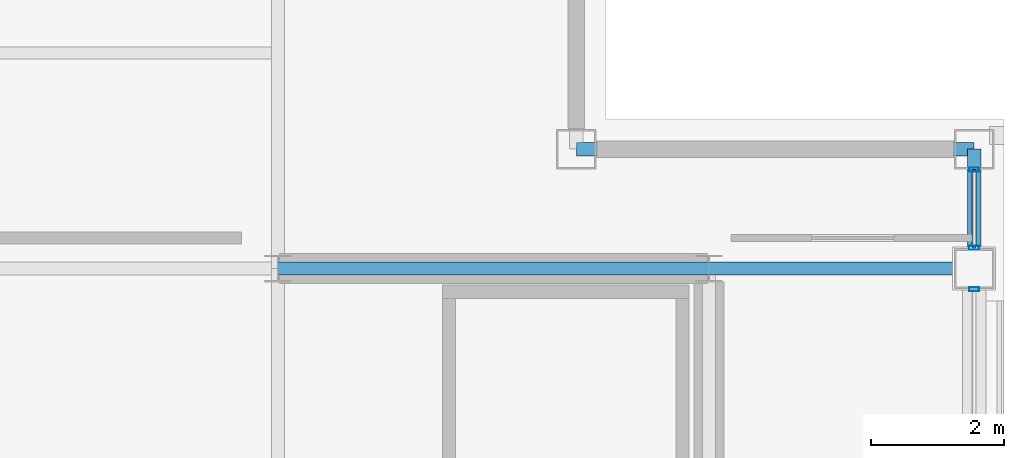
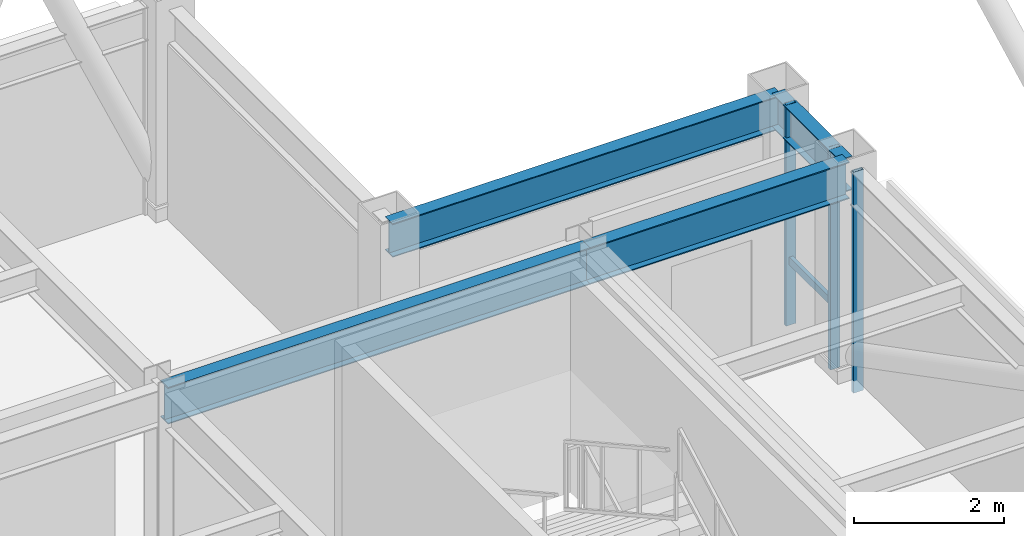
# One storey, part 16 of 27: 4 beams, 4 members, 2 elements without a shape of their own.
"""IFC4 building model written with IfcOpenShell, lengths in metres."""

from ifc_helpers import new_model, si_unit, direction, frame, origin, origin_2d, place, context, subcontext, project, spatial, hollow_rectangle, i_section, extrude, material, layer, layer_set, material_profile, profile_set, type_object, element, aggregate, save


model = new_model("IFC4")

# Units and contexts
model_context = context("Model", 3, precision=1e-05, world=origin(), true_north=direction((0.0, 1.0)))
body_context = subcontext(model_context, "Body", "Model", "MODEL_VIEW")
ifc_project = project(units=[si_unit("LENGTHUNIT", "METRE"), si_unit("AREAUNIT", "SQUARE_METRE"), si_unit("VOLUMEUNIT", "CUBIC_METRE"), si_unit("PLANEANGLEUNIT", "RADIAN"), si_unit("MASSUNIT", "GRAM", prefix="KILO")], contexts=[model_context])

# Site, building, storey
site_placement = place(None, origin())
site = spatial("IfcSite", under=ifc_project, at=site_placement, CompositionType="ELEMENT")
building_placement = place(site_placement, origin())
building = spatial("IfcBuilding", under=site, at=building_placement, Name="Brelmoor Portico Tower", CompositionType="ELEMENT")
storey_placement = place(building_placement, frame((0.0, 0.0, 258.0)))
storey = spatial("IfcBuildingStorey", under=building, at=storey_placement, Name="L68", CompositionType="ELEMENT", Elevation=258.0)

# Beams
ifc_material_1 = material(Name="Steel Q355B", Category="steel")
ifc_material_profile_1 = material_profile(ifc_material_1, i_section(OverallWidth=0.199951171875, OverallDepth=0.60009765625, WebThickness=0.010986328125, FlangeThickness=0.01708984375, at=origin_2d()), Name="HN 600x200x11x17")
ifc_profile_set_1 = profile_set([ifc_material_profile_1], Name="Steel Q355B")
beam_type_1 = type_object("IfcBeamType", Name="BM-PG-600", PredefinedType="BEAM", material=ifc_profile_set_1)
beam_1_placement = place(storey_placement, frame((8.050048828125, 9.75, 3.10009765625), z_axis=(1.0, 0.0, 0.0), x_axis=(0.0, 1.0, 0.0)))
element("IfcBeam", 1, at=beam_1_placement, inside=storey, type_object=beam_type_1, Name="L68 Primary Floor Girder PG-22", PredefinedType="BEAM", context=body_context, shape_type="SweptSolid", body=[
    extrude(i_section(OverallWidth=0.199951171875, OverallDepth=0.60009765625, WebThickness=0.010986328125, FlangeThickness=0.01708984375, at=origin_2d()), origin(), (0.0, 0.0, 1.0), 6.5),
])
beam_2_placement = place(storey_placement, frame((14.550048828125, 9.75, 3.10009765625), z_axis=(1.0, 0.0, 0.0), x_axis=(0.0, 1.0, 0.0)))
element("IfcBeam", 2, at=beam_2_placement, inside=storey, type_object=beam_type_1, Name="L68 Primary Floor Girder PG-23", PredefinedType="BEAM", context=body_context, shape_type="SweptSolid", body=[
    extrude(i_section(OverallWidth=0.199951171875, OverallDepth=0.60009765625, WebThickness=0.010986328125, FlangeThickness=0.01708984375, at=origin_2d()), origin(), (0.0, 0.0, 1.0), 4.0),
])
ifc_material_profile_2 = material_profile(ifc_material_1, i_section(OverallWidth=0.199951171875, OverallDepth=0.550048828125, WebThickness=0.010009765625, FlangeThickness=0.01611328125, at=origin_2d()), Name="HN 550x200x10x16")
ifc_profile_set_2 = profile_set([ifc_material_profile_2], Name="Steel Q355B")
beam_type_2 = type_object("IfcBeamType", Name="BM-SP-550", PredefinedType="SPANDREL", material=ifc_profile_set_2)
beam_3_placement = place(storey_placement, frame((12.550048828125, 11.550048828125, 3.125), z_axis=(1.0, 0.0, 0.0), x_axis=(0.0, 1.0, 0.0)))
element("IfcBeam", 3, at=beam_3_placement, inside=storey, type_object=beam_type_2, Name="L68 Perimeter Spandrel Beam SP-07", PredefinedType="SPANDREL", context=body_context, shape_type="SweptSolid", body=[
    extrude(i_section(OverallWidth=0.199951171875, OverallDepth=0.550048828125, WebThickness=0.010009765625, FlangeThickness=0.01611328125, at=origin_2d()), origin(), (0.0, 0.0, 1.0), 6.0),
])
beam_4_placement = place(storey_placement, frame((18.550048828125, 9.75, 3.125), z_axis=(0.0, 1.0, 0.0), x_axis=(-1.0, 0.0, 0.0)))
element("IfcBeam", 4, at=beam_4_placement, inside=storey, type_object=beam_type_2, Name="L68 Perimeter Spandrel Beam SP-20", PredefinedType="SPANDREL", context=body_context, shape_type="SweptSolid", body=[
    extrude(i_section(OverallWidth=0.199951171875, OverallDepth=0.550048828125, WebThickness=0.010009765625, FlangeThickness=0.01611328125, at=origin_2d()), origin(), (0.0, 0.0, 1.0), 1.800048828125),
])

# Curtain wall, member
ifc_material_2 = material(Name="Anodised Aluminium Alloy 6063-T6", Category="aluminium")
ifc_layer_1 = layer(ifc_material_2, 0.179931640625)
ifc_layer_set_1 = layer_set([ifc_layer_1], Name="Anodised Aluminium Alloy 6063-T6")
curtain_wall_type_1 = type_object("IfcCurtainWallType", Name="CW-TOWER-Z4-XB", PredefinedType="NOTDEFINED", material=ifc_layer_set_1)
curtain_wall_1_placement = place(storey_placement, origin())
curtain_wall_1 = element("IfcCurtainWall", 5, at=curtain_wall_1_placement, inside=storey, type_object=curtain_wall_type_1, Name="L68 Curtain Wall CW-L68-04-2", PredefinedType="NOTDEFINED")
ifc_material_profile_3 = material_profile(ifc_material_2, hollow_rectangle(XDim=0.06005859375, YDim=0.14990234375, WallThickness=0.00390625, at=origin_2d()), Name="ALU MULLION 60x150")
ifc_profile_set_3 = profile_set([ifc_material_profile_3], Name="Anodised Aluminium Alloy 6063-T6")
member_type_1 = type_object("IfcMemberType", Name="MB-CW-MULL-150", PredefinedType="MULLION", material=ifc_profile_set_3)
member_1_placement = place(storey_placement, frame((18.550048828125, 9.43994140625, -0.199951171875), z_axis=(0.0, 0.0, 1.0), x_axis=(0.0, 1.0, 0.0)))
member_1 = element("IfcMember", 6, at=member_1_placement, type_object=member_type_1, Name="CW-L68-04-2 Mullion 02", PredefinedType="MULLION", context=body_context, shape_type="SweptSolid", body=[
    extrude(hollow_rectangle(XDim=0.06005859375, YDim=0.14990234375, WallThickness=0.00390625, at=origin_2d()), origin(), (0.0, 0.0, 1.0), 3.599853515625),
])
aggregate(curtain_wall_1, [member_1])

# Curtain wall, members
ifc_layer_2 = layer(ifc_material_2, 0.179931640625)
ifc_layer_set_2 = layer_set([ifc_layer_2], Name="Anodised Aluminium Alloy 6063-T6")
curtain_wall_type_2 = type_object("IfcCurtainWallType", Name="CW-TOWER-Z4", PredefinedType="NOTDEFINED", material=ifc_layer_set_2)
curtain_wall_2_placement = place(storey_placement, origin())
curtain_wall_2 = element("IfcCurtainWall", 7, at=curtain_wall_2_placement, inside=storey, type_object=curtain_wall_type_2, Name="L68 Curtain Wall CW-L68-04-3", PredefinedType="NOTDEFINED")
member_2_placement = place(storey_placement, frame((18.550048828125, 10.06005859375, -0.199951171875), z_axis=(0.0, 0.0, 1.0), x_axis=(0.0, 1.0, 0.0)))
member_2 = element("IfcMember", 8, at=member_2_placement, type_object=member_type_1, Name="CW-L68-04-3 Mullion 00", PredefinedType="MULLION", context=body_context, shape_type="SweptSolid", body=[
    extrude(hollow_rectangle(XDim=0.06005859375, YDim=0.14990234375, WallThickness=0.00390625, at=origin_2d()), origin(), (0.0, 0.0, 1.0), 3.599853515625),
])
member_3_placement = place(storey_placement, frame((18.550048828125, 11.239990234375, -0.199951171875), z_axis=(0.0, 0.0, 1.0), x_axis=(0.0, 1.0, 0.0)))
member_3 = element("IfcMember", 9, at=member_3_placement, type_object=member_type_1, Name="CW-L68-04-3 Mullion 01", PredefinedType="MULLION", context=body_context, shape_type="SweptSolid", body=[
    extrude(hollow_rectangle(XDim=0.06005859375, YDim=0.14990234375, WallThickness=0.00390625, at=origin_2d()), origin(), (0.0, 0.0, 1.0), 3.599853515625),
])
ifc_material_profile_4 = material_profile(ifc_material_2, hollow_rectangle(XDim=0.06005859375, YDim=0.125, WallThickness=0.00341796875, at=origin_2d()), Name="ALU TRANSOM 60x125")
ifc_profile_set_4 = profile_set([ifc_material_profile_4], Name="Anodised Aluminium Alloy 6063-T6")
member_type_2 = type_object("IfcMemberType", Name="MB-CW-TRAN-125", PredefinedType="USERDEFINED", material=ifc_profile_set_4)
member_4_placement = place(storey_placement, frame((18.550048828125, 10.06005859375, 0.85009765625), z_axis=(0.0, 1.0, 0.0), x_axis=(-1.0, 0.0, 0.0)))
member_4 = element("IfcMember", 10, at=member_4_placement, type_object=member_type_2, Name="CW-L68-04-3 Transom 1-00", ObjectType="TRANSOM", PredefinedType="USERDEFINED", context=body_context, shape_type="SweptSolid", body=[
    extrude(hollow_rectangle(XDim=0.06005859375, YDim=0.125, WallThickness=0.00341796875, at=origin_2d()), origin(), (0.0, 0.0, 1.0), 1.179931640625),
])
aggregate(curtain_wall_2, [member_2, member_3, member_4])

save(model, "model.ifc")
